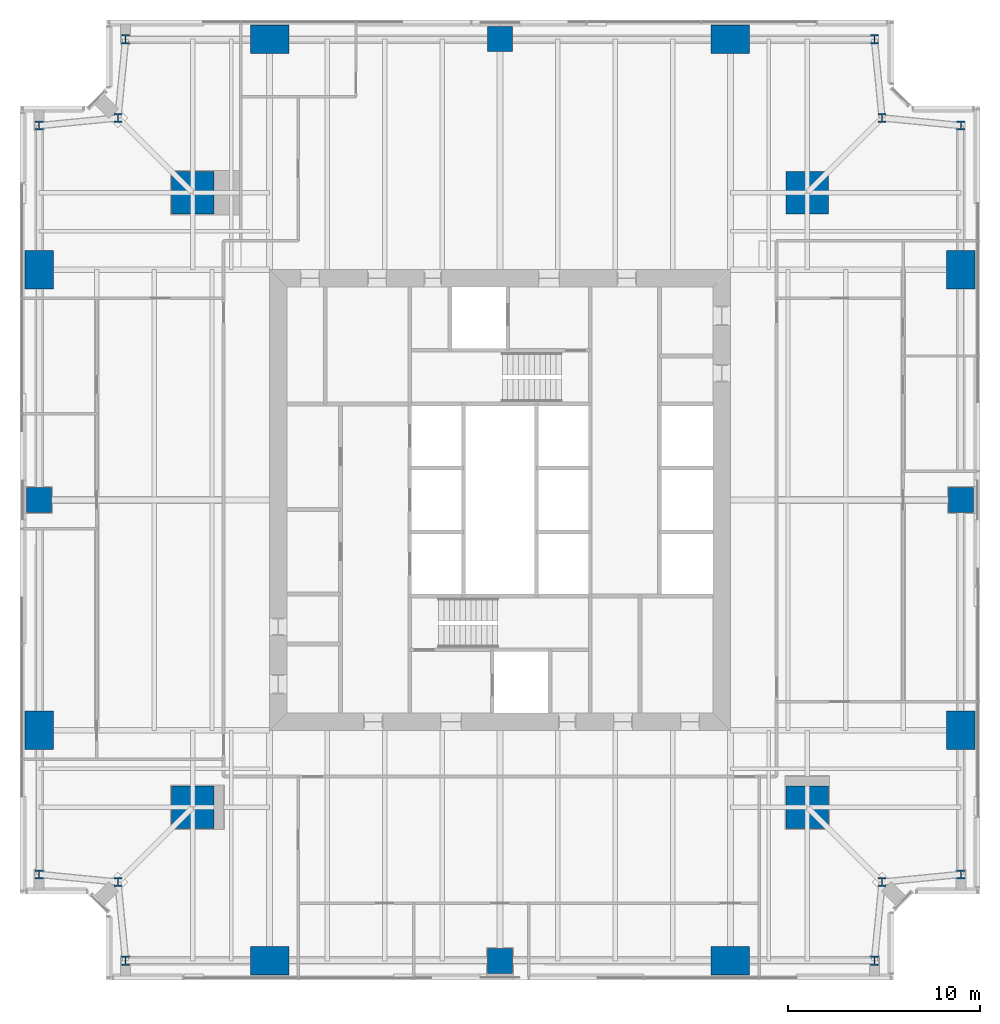
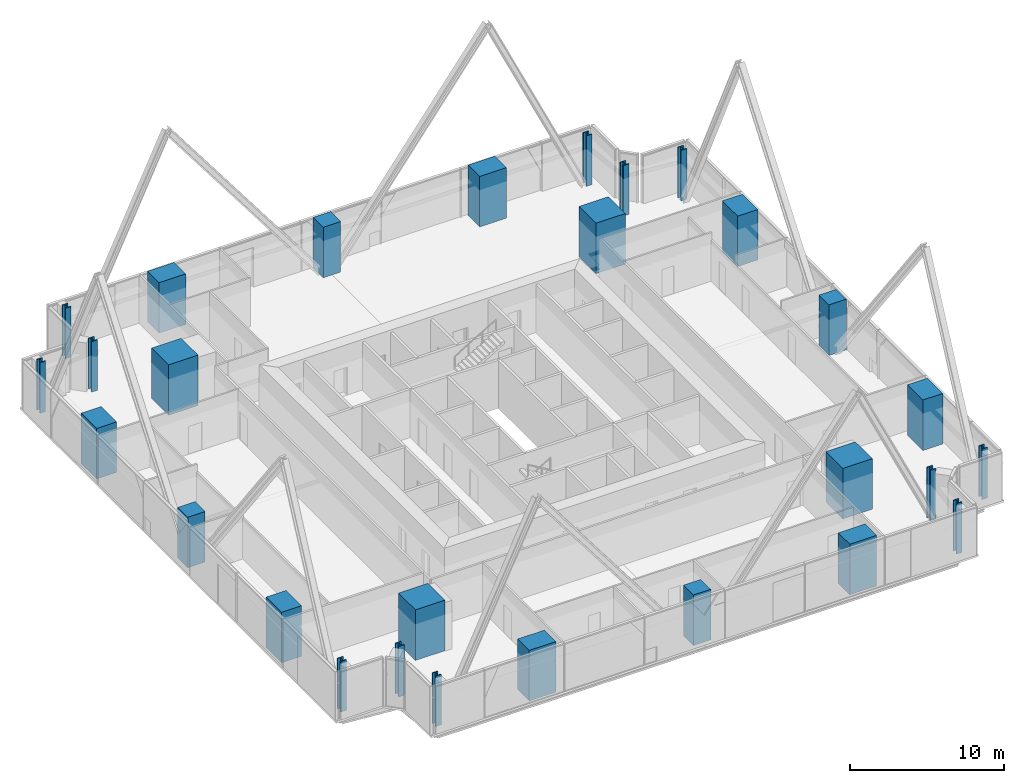
# One storey, part 1 of 13: 28 columns.
"""IFC4 building model written with IfcOpenShell, lengths in metres."""

from ifc_helpers import new_model, si_unit, direction, frame, origin, origin_2d, place, context, subcontext, project, spatial, rectangle, i_section, extrude, material, material_profile, profile_set, type_object, element, save


model = new_model("IFC4")

# Units and contexts
model_context = context("Model", 3, precision=1e-05, world=origin(), true_north=direction((0.0, 1.0)))
body_context = subcontext(model_context, "Body", "Model", "MODEL_VIEW")
ifc_project = project(units=[si_unit("LENGTHUNIT", "METRE"), si_unit("AREAUNIT", "SQUARE_METRE"), si_unit("VOLUMEUNIT", "CUBIC_METRE"), si_unit("PLANEANGLEUNIT", "RADIAN"), si_unit("MASSUNIT", "GRAM", prefix="KILO")], contexts=[model_context])

# Site, building, storey
site_placement = place(None, origin())
site = spatial("IfcSite", under=ifc_project, at=site_placement, CompositionType="ELEMENT")
building_placement = place(site_placement, origin())
building = spatial("IfcBuilding", under=site, at=building_placement, Name="Fenwick Lantern Interchange", CompositionType="ELEMENT")
storey_placement = place(building_placement, frame((0.0, 0.0, 146.39990234375)))
storey = spatial("IfcBuildingStorey", under=building, at=storey_placement, Name="L34", CompositionType="ELEMENT", Elevation=146.39990234375)

# Columns
ifc_material_1 = material(Name="Concrete f'c 70 MPa", Category="concrete")
ifc_material_profile_1 = material_profile(ifc_material_1, rectangle(XDim=2.199951171875, YDim=2.199951171875, at=origin_2d()), Name="RC2200X2200")
ifc_profile_set_1 = profile_set([ifc_material_profile_1], Name="Concrete f'c 70 MPa")
column_type_1 = type_object("IfcColumnType", Name="MEGA COLUMN RC2200X2200", PredefinedType="COLUMN", material=ifc_profile_set_1)
for number, where, z_axis, x_axis, name in (
    (1, (9.0, 9.0, 0.0), (0.0, 0.0, 1.0), (1.0, 0.0, 0.0), "L34/M1"),
    (2, (41.0, 9.0, 0.0), (0.0, 0.0, 1.0), (1.0, 0.0, 0.0), "L34/M2"),
    (3, (41.0, 41.0, 0.0), (0.0, 0.0, 1.0), (1.0, 0.0, 0.0), "L34/M3"),
    (4, (9.0, 41.0, 0.0), (0.0, 0.0, 1.0), (1.0, 0.0, 0.0), "L34/M4"),
):
    element("IfcColumn", number, at=place(storey_placement, frame(where, z_axis=z_axis, x_axis=x_axis)), inside=storey, type_object=column_type_1, Name=name, PredefinedType="COLUMN", context=body_context, shape_type="SweptSolid", body=[
        extrude(rectangle(XDim=2.199951171875, YDim=2.199951171875, at=origin_2d()), origin(), (0.0, 0.0, 1.0), 4.0),
    ])
ifc_material_profile_2 = material_profile(ifc_material_1, rectangle(XDim=1.300048828125, YDim=1.300048828125, at=origin_2d()), Name="RC1300X1300")
ifc_profile_set_2 = profile_set([ifc_material_profile_2], Name="Concrete f'c 70 MPa")
column_type_2 = type_object("IfcColumnType", Name="PERIMETER COLUMN RC1300X1300", PredefinedType="COLUMN", material=ifc_profile_set_2)
for number, where, z_axis, x_axis, name in (
    (5, (25.0, 1.0, 0.0), (0.0, 0.0, 1.0), (1.0, 0.0, 0.0), "L34/CS3"),
    (6, (49.0, 25.0, 0.0), (0.0, 0.0, 1.0), (1.0, 0.0, 0.0), "L34/CE3"),
    (7, (25.0, 49.0, 0.0), (0.0, 0.0, 1.0), (1.0, 0.0, 0.0), "L34/CN3"),
    (8, (1.0, 25.0, 0.0), (0.0, 0.0, 1.0), (1.0, 0.0, 0.0), "L34/CW3"),
):
    element("IfcColumn", number, at=place(storey_placement, frame(where, z_axis=z_axis, x_axis=x_axis)), inside=storey, type_object=column_type_2, Name=name, PredefinedType="COLUMN", context=body_context, shape_type="SweptSolid", body=[
        extrude(rectangle(XDim=1.300048828125, YDim=1.300048828125, at=origin_2d()), origin(), (0.0, 0.0, 1.0), 4.0),
    ])
ifc_material_profile_3 = material_profile(ifc_material_1, rectangle(XDim=1.5, YDim=2.0, at=origin_2d()), Name="RC1500X2000")
ifc_profile_set_3 = profile_set([ifc_material_profile_3], Name="Concrete f'c 70 MPa")
column_type_3 = type_object("IfcColumnType", Name="PERIMETER COLUMN RC1500X2000", PredefinedType="COLUMN", material=ifc_profile_set_3)
for number, where, z_axis, x_axis, name in (
    (9, (49.0, 13.0, 0.0), (0.0, 0.0, 1.0), (1.0, 0.0, 0.0), "L34/CE2"),
    (10, (49.0, 37.0, 0.0), (0.0, 0.0, 1.0), (1.0, 0.0, 0.0), "L34/CE4"),
    (11, (1.0, 37.0, 0.0), (0.0, 0.0, 1.0), (1.0, 0.0, 0.0), "L34/CW2"),
    (12, (1.0, 13.0, 0.0), (0.0, 0.0, 1.0), (1.0, 0.0, 0.0), "L34/CW4"),
):
    element("IfcColumn", number, at=place(storey_placement, frame(where, z_axis=z_axis, x_axis=x_axis)), inside=storey, type_object=column_type_3, Name=name, PredefinedType="COLUMN", context=body_context, shape_type="SweptSolid", body=[
        extrude(rectangle(XDim=1.5, YDim=2.0, at=origin_2d()), origin(), (0.0, 0.0, 1.0), 4.0),
    ])
ifc_material_profile_4 = material_profile(ifc_material_1, rectangle(XDim=2.0, YDim=1.5, at=origin_2d()), Name="RC2000X1500")
ifc_profile_set_4 = profile_set([ifc_material_profile_4], Name="Concrete f'c 70 MPa")
column_type_4 = type_object("IfcColumnType", Name="PERIMETER COLUMN RC2000X1500", PredefinedType="COLUMN", material=ifc_profile_set_4)
for number, where, z_axis, x_axis, name in (
    (13, (13.0, 1.0, 0.0), (0.0, 0.0, 1.0), (1.0, 0.0, 0.0), "L34/CS2"),
    (14, (37.0, 1.0, 0.0), (0.0, 0.0, 1.0), (1.0, 0.0, 0.0), "L34/CS4"),
    (15, (37.0, 49.0, 0.0), (0.0, 0.0, 1.0), (1.0, 0.0, 0.0), "L34/CN2"),
    (16, (13.0, 49.0, 0.0), (0.0, 0.0, 1.0), (1.0, 0.0, 0.0), "L34/CN4"),
):
    element("IfcColumn", number, at=place(storey_placement, frame(where, z_axis=z_axis, x_axis=x_axis)), inside=storey, type_object=column_type_4, Name=name, PredefinedType="COLUMN", context=body_context, shape_type="SweptSolid", body=[
        extrude(rectangle(XDim=2.0, YDim=1.5, at=origin_2d()), origin(), (0.0, 0.0, 1.0), 4.0),
    ])
ifc_material_2 = material(Name="Steel ASTM A992 Grade 50", Category="steel")
ifc_material_profile_5 = material_profile(ifc_material_2, i_section(OverallWidth=0.424072265625, OverallDepth=0.47509765625, WebThickness=0.0478515625, FlangeThickness=0.0771484375, at=origin_2d()), Name="W14X426")
ifc_profile_set_5 = profile_set([ifc_material_profile_5], Name="Steel ASTM A992 Grade 50")
column_type_5 = type_object("IfcColumnType", Name="PERIMETER COLUMN W14X426", PredefinedType="COLUMN", material=ifc_profile_set_5)
for number, where, z_axis, x_axis, name in (
    (17, (5.5, 1.0, 0.0), (0.0, 0.0, 1.0), (1.0, 0.0, 0.0), "L34/CS1"),
    (18, (44.5, 1.0, 0.0), (0.0, 0.0, 1.0), (1.0, 0.0, 0.0), "L34/CS5"),
    (19, (44.89990234375, 5.10009765625, 0.0), (0.0, 0.0, 1.0), (1.0, 0.0, 0.0), "L34/CSR"),
    (20, (49.0, 5.5, 0.0), (0.0, 0.0, 1.0), (1.0, 0.0, 0.0), "L34/CE1"),
    (21, (49.0, 44.5, 0.0), (0.0, 0.0, 1.0), (1.0, 0.0, 0.0), "L34/CE5"),
    (22, (44.89990234375, 44.89990234375, 0.0), (0.0, 0.0, 1.0), (1.0, 0.0, 0.0), "L34/CER"),
    (23, (44.5, 49.0, 0.0), (0.0, 0.0, 1.0), (1.0, 0.0, 0.0), "L34/CN1"),
    (24, (5.5, 49.0, 0.0), (0.0, 0.0, 1.0), (1.0, 0.0, 0.0), "L34/CN5"),
    (25, (5.10009765625, 44.89990234375, 0.0), (0.0, 0.0, 1.0), (1.0, 0.0, 0.0), "L34/CNR"),
    (26, (1.0, 44.5, 0.0), (0.0, 0.0, 1.0), (1.0, 0.0, 0.0), "L34/CW1"),
    (27, (1.0, 5.5, 0.0), (0.0, 0.0, 1.0), (1.0, 0.0, 0.0), "L34/CW5"),
    (28, (5.10009765625, 5.10009765625, 0.0), (0.0, 0.0, 1.0), (1.0, 0.0, 0.0), "L34/CWR"),
):
    element("IfcColumn", number, at=place(storey_placement, frame(where, z_axis=z_axis, x_axis=x_axis)), inside=storey, type_object=column_type_5, Name=name, PredefinedType="COLUMN", context=body_context, shape_type="SweptSolid", body=[
        extrude(i_section(OverallWidth=0.424072265625, OverallDepth=0.47509765625, WebThickness=0.0478515625, FlangeThickness=0.0771484375, at=origin_2d()), origin(), (0.0, 0.0, 1.0), 4.0),
    ])

save(model, "model.ifc")
